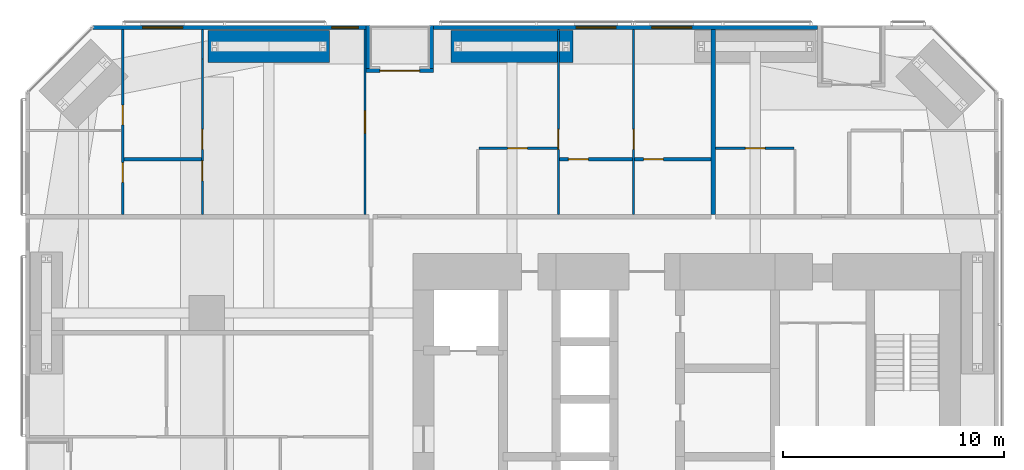
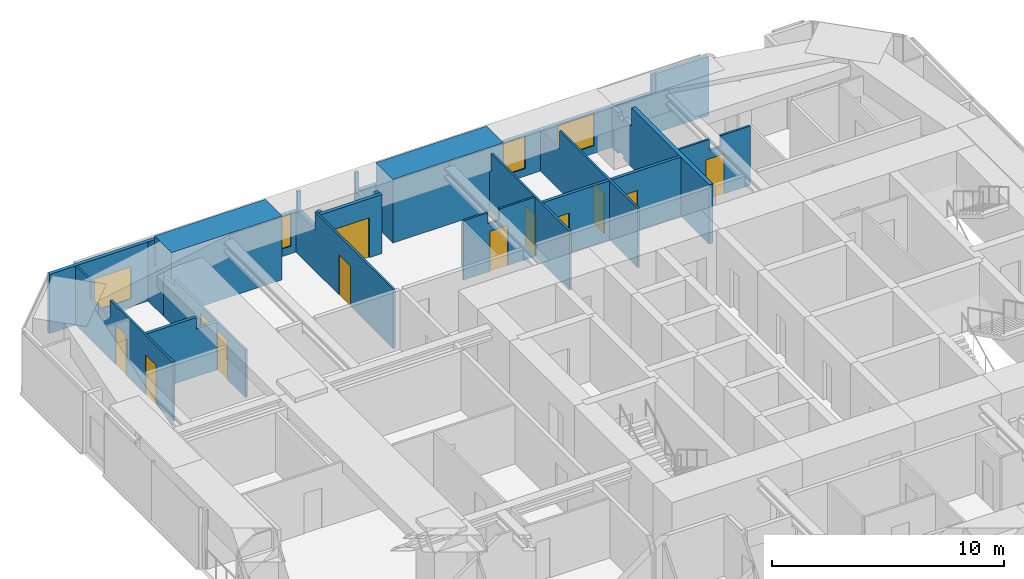
# One storey, part 22 of 24: 19 walls, 12 doors, 4 windows, 16 openings.
"""IFC4 building model written with IfcOpenShell, lengths in metres."""

from ifc_helpers import new_model, si_unit, direction, frame, frame_2d, origin, place, context, subcontext, project, spatial, polyline, rectangle, outline, extrude, material, layer, layer_set, constituent, constituent_set, type_object, element, fill, save


model = new_model("IFC4")

# Units and contexts
model_context = context("Model", 3, precision=1e-05, world=origin(), true_north=direction((0.0, 1.0)))
body_context = subcontext(model_context, "Body", "Model", "MODEL_VIEW")
ifc_project = project(units=[si_unit("LENGTHUNIT", "METRE"), si_unit("AREAUNIT", "SQUARE_METRE"), si_unit("VOLUMEUNIT", "CUBIC_METRE"), si_unit("PLANEANGLEUNIT", "RADIAN"), si_unit("MASSUNIT", "GRAM", prefix="KILO")], contexts=[model_context])

# Site, building, storey
site_placement = place(None, origin())
site = spatial("IfcSite", under=ifc_project, at=site_placement, CompositionType="ELEMENT")
building_placement = place(site_placement, origin())
building = spatial("IfcBuilding", under=site, at=building_placement, Name="Jalousie Tower", CompositionType="ELEMENT")
storey_placement = place(building_placement, frame((0.0, 0.0, 61.199951171875)))
storey = spatial("IfcBuildingStorey", under=building, at=storey_placement, Name="L16", CompositionType="ELEMENT", Elevation=61.199951171875)

# Wall
ifc_material_1 = material(Name="Concrete block ASTM C90", Category="concrete")
ifc_constituent_1 = constituent(ifc_material_1, Name="Body")
ifc_material_2 = material(Name="Render")
ifc_constituent_2 = constituent(ifc_material_2, Name="Finish")
ifc_constituent_set_1 = constituent_set(constituents=[ifc_constituent_1, ifc_constituent_2])
wall_type_1 = type_object("IfcWallType", Name="BATHROOM WALL 150", PredefinedType="PLUMBINGWALL", material=ifc_constituent_set_1)
wall_1_placement = place(storey_placement, frame((6.449951171875, 31.949951171875, 0.0), z_axis=(0.0, 0.0, 1.0), x_axis=(1.0, 0.0, 0.0)))
element("IfcWall", 1, at=wall_1_placement, inside=storey, type_object=wall_type_1, Name="Bathroom Wall 150 L16", PredefinedType="PLUMBINGWALL", context=body_context, shape_type="SweptSolid", body=[
    extrude(outline(polyline([(0.0, 0.0), (3.5, 0.0), (3.5, 3.110107421875), (3.5, 2.510009765625), (2.465087890625, 2.510009765625), (2.465087890625, 3.110107421875), (0.0, 3.110107421875), (0.0, 0.0)])), frame((0.0, 0.074951171875, 0.0), z_axis=(0.0, -1.0, 0.0), x_axis=(1.0, 0.0, 0.0)), (0.0, 0.0, 1.0), 0.14990234375),
])

# Wall, opening, door
wall_2_placement = place(storey_placement, frame((26.14990234375, 31.949951171875, 0.0), z_axis=(0.0, 0.0, 1.0), x_axis=(1.0, 0.0, 0.0)))
wall_2 = element("IfcWall", 2, at=wall_2_placement, inside=storey, type_object=wall_type_1, Name="Bathroom Wall 150 L16", PredefinedType="PLUMBINGWALL", context=body_context, shape_type="SweptSolid", body=[
    extrude(rectangle(XDim=3.300048828125, YDim=0.14990234375, at=frame_2d((1.64990234375, 0.0))), origin(), (0.0, 0.0, 1.0), 3.110107421875),
])
opening_1_placement = place(wall_2_placement, frame((0.39990234375, 0.0, 0.0)))
opening_1 = element("IfcOpeningElement", 3, at=opening_1_placement, cuts=wall_2, Name="Opening D3", PredefinedType="OPENING", context=body_context, shape_type="SweptSolid", body=[
    extrude(rectangle(XDim=0.89990234375, YDim=2.10009765625, at=frame_2d((0.449951171875, 1.050048828125))), frame((0.0, 0.0849609375, 0.0), z_axis=(0.0, -1.0, 0.0), x_axis=(1.0, 0.0, 0.0)), (0.0, 0.0, 1.0), 0.169921875),
])
ifc_material_3 = material(Name="Timber door", Category="wood")
door_type_1 = type_object("IfcDoorType", Name="BATHROOM DOOR 900", OperationType="SINGLE_SWING_LEFT", PredefinedType="DOOR", material=ifc_material_3)
door_1_placement = place(opening_1_placement, frame((0.89990234375, 0.0, 0.0), z_axis=(0.0, 0.0, 1.0), x_axis=(-1.0, 0.0, 0.0)))
door_1 = element("IfcDoor", 4, at=door_1_placement, inside=storey, type_object=door_type_1, Name="Apartment 1603 bedroom 3 bathroom door", OperationType="SINGLE_SWING_RIGHT", OverallHeight=2.10009765625, OverallWidth=0.89990234375, PredefinedType="DOOR", context=body_context, shape_type="SweptSolid", body=[
    extrude(rectangle(XDim=0.89990234375, YDim=2.10009765625, at=frame_2d((0.449951171875, 1.050048828125))), frame((0.0, 0.02490234375, 0.0), z_axis=(0.0, -1.0, 0.0), x_axis=(1.0, 0.0, 0.0)), (0.0, 0.0, 1.0), 0.050048828125),
])
fill(opening_1, door_1)

wall_3_placement = place(storey_placement, frame((29.550048828125, 31.949951171875, 0.0), z_axis=(0.0, 0.0, 1.0), x_axis=(1.0, 0.0, 0.0)))
wall_3 = element("IfcWall", 5, at=wall_3_placement, inside=storey, type_object=wall_type_1, Name="Bathroom Wall 150 L16", PredefinedType="PLUMBINGWALL", context=body_context, shape_type="SweptSolid", body=[
    extrude(rectangle(XDim=3.449951171875, YDim=0.14990234375, at=frame_2d((1.72509765625, 0.0))), origin(), (0.0, 0.0, 1.0), 3.110107421875),
])
opening_2_placement = place(wall_3_placement, frame((0.39990234375, 0.0, 0.0)))
opening_2 = element("IfcOpeningElement", 6, at=opening_2_placement, cuts=wall_3, Name="Opening D3", PredefinedType="OPENING", context=body_context, shape_type="SweptSolid", body=[
    extrude(rectangle(XDim=0.89990234375, YDim=2.10009765625, at=frame_2d((0.449951171875, 1.050048828125))), frame((0.0, 0.0849609375, 0.0), z_axis=(0.0, -1.0, 0.0), x_axis=(1.0, 0.0, 0.0)), (0.0, 0.0, 1.0), 0.169921875),
])
door_2_placement = place(opening_2_placement, frame((0.89990234375, 0.0, 0.0), z_axis=(0.0, 0.0, 1.0), x_axis=(-1.0, 0.0, 0.0)))
door_2 = element("IfcDoor", 7, at=door_2_placement, inside=storey, type_object=door_type_1, Name="Apartment 1603 bedroom 4 bathroom door", OperationType="SINGLE_SWING_RIGHT", OverallHeight=2.10009765625, OverallWidth=0.89990234375, PredefinedType="DOOR", context=body_context, shape_type="SweptSolid", body=[
    extrude(rectangle(XDim=0.89990234375, YDim=2.10009765625, at=frame_2d((0.449951171875, 1.050048828125))), frame((0.0, 0.02490234375, 0.0), z_axis=(0.0, -1.0, 0.0), x_axis=(1.0, 0.0, 0.0)), (0.0, 0.0, 1.0), 0.050048828125),
])
fill(opening_2, door_2)

# Wall, openings, windows
ifc_material_4 = material(Name="Concrete f'c 40 MPa", Category="concrete")
ifc_constituent_3 = constituent(ifc_material_4, Name="Body")
ifc_material_5 = material(Name="Render, pastel coral")
ifc_constituent_4 = constituent(ifc_material_5, Name="Finish")
ifc_constituent_set_2 = constituent_set(constituents=[ifc_constituent_3, ifc_constituent_4])
wall_type_2 = type_object("IfcWallType", Name="EXTERNAL WALL 175 CORAL RENDER", PredefinedType="SOLIDWALL", material=ifc_constituent_set_2)
wall_4_placement = place(storey_placement, frame((37.82373046875, 37.91259765625, 0.0), z_axis=(0.0, 0.0, 1.0), x_axis=(-1.0, 0.0, 0.0)))
wall_4 = element("IfcWall", 8, at=wall_4_placement, inside=storey, type_object=wall_type_2, Name="External Wall 175 Coral Render L16", PredefinedType="SOLIDWALL", context=body_context, shape_type="SweptSolid", body=[
    extrude(outline(polyline([(0.0, 0.0), (17.373779296875, 0.0), (17.373779296875, 2.150146484375), (2.82373046875, 2.150146484375), (2.82373046875, 3.110107421875), (2.66796875, 3.110107421875), (2.66796875, 2.150146484375), (2.61962890625, 2.150146484375), (2.61962890625, 3.110107421875), (0.0, 3.110107421875), (0.0, 0.0)])), frame((0.0, 0.08740234375, 0.0), z_axis=(0.0, -1.0, 0.0), x_axis=(1.0, 0.0, 0.0)), (0.0, 0.0, 1.0), 0.175048828125),
])
opening_3_placement = place(wall_4_placement, frame((5.69873046875, 0.0, 0.39990234375)))
opening_3 = element("IfcOpeningElement", 9, at=opening_3_placement, cuts=wall_4, Name="Opening W-BED170", PredefinedType="OPENING", context=body_context, shape_type="SweptSolid", body=[
    extrude(rectangle(XDim=1.800048828125, YDim=1.699951171875, at=frame_2d((0.89990234375, 0.85009765625))), frame((0.0, 0.097412109375, 0.0), z_axis=(0.0, -1.0, 0.0), x_axis=(1.0, 0.0, 0.0)), (0.0, 0.0, 1.0), 0.195068359375),
])
opening_4_placement = place(wall_4_placement, frame((9.123779296875, 0.0, 0.39990234375)))
opening_4 = element("IfcOpeningElement", 10, at=opening_4_placement, cuts=wall_4, Name="Opening W-BED170", PredefinedType="OPENING", context=body_context, shape_type="SweptSolid", body=[
    extrude(rectangle(XDim=1.800048828125, YDim=1.699951171875, at=frame_2d((0.89990234375, 0.85009765625))), frame((0.0, 0.097412109375, 0.0), z_axis=(0.0, -1.0, 0.0), x_axis=(1.0, 0.0, 0.0)), (0.0, 0.0, 1.0), 0.195068359375),
])
ifc_material_6 = material(Name="Aluminium frame, impact-rated glazing", Category="aluminium")
window_type_1 = type_object("IfcWindowType", Name="WINDOW BED 1800x1700", PartitioningType="SINGLE_PANEL", PredefinedType="WINDOW", material=ifc_material_6)
window_1_placement = place(opening_3_placement, origin())
window_1 = element("IfcWindow", 11, at=window_1_placement, inside=storey, type_object=window_type_1, Name="Apartment 1603 bedroom 4 window", OverallHeight=1.699951171875, OverallWidth=1.800048828125, PartitioningType="SINGLE_PANEL", PredefinedType="WINDOW", context=body_context, shape_type="SweptSolid", body=[
    extrude(rectangle(XDim=1.800048828125, YDim=1.699951171875, at=frame_2d((0.89990234375, 0.85009765625))), frame((0.0, 0.030029296875, 0.0), z_axis=(0.0, -1.0, 0.0), x_axis=(1.0, 0.0, 0.0)), (0.0, 0.0, 1.0), 0.06005859375),
])
fill(opening_3, window_1)
window_2_placement = place(opening_4_placement, origin())
window_2 = element("IfcWindow", 12, at=window_2_placement, inside=storey, type_object=window_type_1, Name="Apartment 1603 bedroom 3 window", OverallHeight=1.699951171875, OverallWidth=1.800048828125, PartitioningType="SINGLE_PANEL", PredefinedType="WINDOW", context=body_context, shape_type="SweptSolid", body=[
    extrude(rectangle(XDim=1.800048828125, YDim=1.699951171875, at=frame_2d((0.89990234375, 0.85009765625))), frame((0.0, 0.030029296875, 0.0), z_axis=(0.0, -1.0, 0.0), x_axis=(1.0, 0.0, 0.0)), (0.0, 0.0, 1.0), 0.06005859375),
])
fill(opening_4, window_2)

wall_5_placement = place(storey_placement, frame((17.39990234375, 37.91259765625, 0.0), z_axis=(0.0, 0.0, 1.0), x_axis=(-1.0, 0.0, 0.0)))
wall_5 = element("IfcWall", 13, at=wall_5_placement, inside=storey, type_object=wall_type_2, Name="External Wall 175 Coral Render L16", PredefinedType="SOLIDWALL", context=body_context, shape_type="SweptSolid", body=[
    extrude(outline(polyline([(0.0, 0.0), (12.3486328125, 0.0), (12.3486328125, 3.110107421875), (4.60400390625, 3.110107421875), (4.60400390625, 2.150146484375), (4.5556640625, 2.150146484375), (4.5556640625, 3.110107421875), (4.39990234375, 3.110107421875), (4.39990234375, 2.150146484375), (0.0, 2.150146484375), (0.0, 0.0)])), frame((0.0, 0.08740234375, 0.0), z_axis=(0.0, -1.0, 0.0), x_axis=(1.0, 0.0, 0.0)), (0.0, 0.0, 1.0), 0.175048828125),
])
opening_5_placement = place(wall_5_placement, frame((0.35009765625, 0.0, 0.39990234375)))
opening_5 = element("IfcOpeningElement", 14, at=opening_5_placement, cuts=wall_5, Name="Opening W-COR170", PredefinedType="OPENING", context=body_context, shape_type="SweptSolid", body=[
    extrude(rectangle(XDim=1.199951171875, YDim=1.699951171875, at=frame_2d((0.60009765625, 0.85009765625))), frame((0.0, 0.097412109375, 0.0), z_axis=(0.0, -1.0, 0.0), x_axis=(1.0, 0.0, 0.0)), (0.0, 0.0, 1.0), 0.195068359375),
])
opening_6_placement = place(wall_5_placement, frame((8.300048828125, 0.0, 0.39990234375)))
opening_6 = element("IfcOpeningElement", 15, at=opening_6_placement, cuts=wall_5, Name="Opening W-BED170", PredefinedType="OPENING", context=body_context, shape_type="SweptSolid", body=[
    extrude(rectangle(XDim=1.800048828125, YDim=1.699951171875, at=frame_2d((0.89990234375, 0.85009765625))), frame((0.0, 0.097412109375, 0.0), z_axis=(0.0, -1.0, 0.0), x_axis=(1.0, 0.0, 0.0)), (0.0, 0.0, 1.0), 0.195068359375),
])
window_3_placement = place(opening_6_placement, origin())
window_3 = element("IfcWindow", 16, at=window_3_placement, inside=storey, type_object=window_type_1, Name="Apartment 1603 bedroom 2 window", OverallHeight=1.699951171875, OverallWidth=1.800048828125, PartitioningType="SINGLE_PANEL", PredefinedType="WINDOW", context=body_context, shape_type="SweptSolid", body=[
    extrude(rectangle(XDim=1.800048828125, YDim=1.699951171875, at=frame_2d((0.89990234375, 0.85009765625))), frame((0.0, 0.030029296875, 0.0), z_axis=(0.0, -1.0, 0.0), x_axis=(1.0, 0.0, 0.0)), (0.0, 0.0, 1.0), 0.06005859375),
])
fill(opening_6, window_3)
ifc_material_7 = material(Name="Aluminium frame, impact-rated glazing", Category="aluminium")
window_type_2 = type_object("IfcWindowType", Name="WINDOW COR 1200x1700", PartitioningType="SINGLE_PANEL", PredefinedType="WINDOW", material=ifc_material_7)
window_4_placement = place(opening_5_placement, origin())
window_4 = element("IfcWindow", 17, at=window_4_placement, inside=storey, type_object=window_type_2, Name="Apartment 1603 dining room window", OverallHeight=1.699951171875, OverallWidth=1.199951171875, PartitioningType="SINGLE_PANEL", PredefinedType="WINDOW", context=body_context, shape_type="SweptSolid", body=[
    extrude(rectangle(XDim=1.199951171875, YDim=1.699951171875, at=frame_2d((0.60009765625, 0.85009765625))), frame((0.0, 0.030029296875, 0.0), z_axis=(0.0, -1.0, 0.0), x_axis=(1.0, 0.0, 0.0)), (0.0, 0.0, 1.0), 0.06005859375),
])
fill(opening_5, window_4)

# Wall, opening, door
wall_6_placement = place(storey_placement, frame((20.449951171875, 35.96240234375, 0.0), z_axis=(0.0, 0.0, 1.0), x_axis=(-1.0, 0.0, 0.0)))
wall_6 = element("IfcWall", 18, at=wall_6_placement, inside=storey, type_object=wall_type_2, Name="External Wall 175 Coral Render L16", PredefinedType="SOLIDWALL", context=body_context, shape_type="SweptSolid", body=[
    extrude(rectangle(XDim=3.050048828125, YDim=0.175048828125, at=frame_2d((1.52490234375, 0.0))), origin(), (0.0, 0.0, 1.0), 3.110107421875),
])
opening_7_placement = place(wall_6_placement, frame((0.625, 0.0, 0.0)))
opening_7 = element("IfcOpeningElement", 19, at=opening_7_placement, cuts=wall_6, Name="Opening D-BAL21", PredefinedType="OPENING", context=body_context, shape_type="SweptSolid", body=[
    extrude(rectangle(XDim=1.800048828125, YDim=2.10009765625, at=frame_2d((0.89990234375, 1.050048828125))), frame((0.0, 0.097412109375, 0.0), z_axis=(0.0, -1.0, 0.0), x_axis=(1.0, 0.0, 0.0)), (0.0, 0.0, 1.0), 0.195068359375),
])
ifc_material_8 = material(Name="Aluminium frame, impact-rated glazing", Category="aluminium")
door_type_2 = type_object("IfcDoorType", Name="BALCONY DOOR 1800x2100", OperationType="SLIDING_TO_LEFT", PredefinedType="DOOR", material=ifc_material_8)
door_3_placement = place(opening_7_placement, origin())
door_3 = element("IfcDoor", 20, at=door_3_placement, inside=storey, type_object=door_type_2, Name="Apartment 1603 living room loggia door", OperationType="SLIDING_TO_LEFT", OverallHeight=2.10009765625, OverallWidth=1.800048828125, PredefinedType="DOOR", context=body_context, shape_type="SweptSolid", body=[
    extrude(rectangle(XDim=1.800048828125, YDim=2.10009765625, at=frame_2d((0.89990234375, 1.050048828125))), frame((0.0, 0.02490234375, 0.0), z_axis=(0.0, -1.0, 0.0), x_axis=(1.0, 0.0, 0.0)), (0.0, 0.0, 1.0), 0.050048828125),
])
fill(opening_7, door_3)

# Walls
for number, where, z_axis, x_axis, name in (
    (21, (20.362548828125, 38.0, 0.0), (0.0, 0.0, 1.0), (0.0, -1.0, 0.0), "External Wall 175 Coral Render L16"),
    (22, (17.487548828125, 38.0, 0.0), (0.0, 0.0, 1.0), (0.0, -1.0, 0.0), "External Wall 175 Coral Render L16"),
):
    element("IfcWall", number, at=place(storey_placement, frame(where, z_axis=z_axis, x_axis=x_axis)), inside=storey, type_object=wall_type_2, Name=name, PredefinedType="SOLIDWALL", context=body_context, shape_type="SweptSolid", body=[
        extrude(outline(polyline([(0.0, 0.0), (1.949951171875, 0.0), (1.949951171875, 3.110107421875), (1.75, 3.110107421875), (1.75, 2.150146484375), (0.14990234375, 2.150146484375), (0.14990234375, 3.110107421875), (0.0, 3.110107421875), (0.0, 0.0)])), frame((0.0, 0.08740234375, 0.0), z_axis=(0.0, -1.0, 0.0), x_axis=(1.0, 0.0, 0.0)), (0.0, 0.0, 1.0), 0.175048828125),
    ])

# Wall, openings, doors
ifc_material_9 = material(Name="Gypsum board", Category="gypsum")
ifc_constituent_5 = constituent(ifc_material_9, Name="Body")
ifc_material_10 = material(Name="Light-gauge steel studs ASTM A653 SS Grade 33", Category="steel")
ifc_constituent_6 = constituent(ifc_material_10, Name="Framing")
ifc_constituent_set_3 = constituent_set(constituents=[ifc_constituent_5, ifc_constituent_6])
wall_type_3 = type_object("IfcWallType", Name="PARTITION 100", PredefinedType="PARTITIONING", material=ifc_constituent_set_3)
wall_7_placement = place(storey_placement, frame((6.39990234375, 37.824951171875, 0.0), z_axis=(0.0, 0.0, 1.0), x_axis=(0.0, -1.0, 0.0)))
wall_7 = element("IfcWall", 23, at=wall_7_placement, inside=storey, type_object=wall_type_3, Name="Partition 100 L16", PredefinedType="PARTITIONING", context=body_context, shape_type="SweptSolid", body=[
    extrude(outline(polyline([(0.0, 0.0), (8.375, 0.0), (8.375, 3.110107421875), (2.978271484375, 3.110107421875), (2.978271484375, 2.150146484375), (1.223876953125, 2.150146484375), (1.223876953125, 3.110107421875), (0.0, 3.110107421875), (0.0, 0.0)])), frame((0.0, 0.050048828125, 0.0), z_axis=(0.0, -1.0, 0.0), x_axis=(1.0, 0.0, 0.0)), (0.0, 0.0, 1.0), 0.10009765625),
])
opening_8_placement = place(wall_7_placement, frame((3.421630859375, 0.0, 0.0)))
opening_8 = element("IfcOpeningElement", 24, at=opening_8_placement, cuts=wall_7, Name="Opening D2", PredefinedType="OPENING", context=body_context, shape_type="SweptSolid", body=[
    extrude(rectangle(XDim=0.89990234375, YDim=2.10009765625, at=frame_2d((0.449951171875, 1.050048828125))), frame((0.0, 0.06005859375, 0.0), z_axis=(0.0, -1.0, 0.0), x_axis=(1.0, 0.0, 0.0)), (0.0, 0.0, 1.0), 0.1201171875),
])
opening_9_placement = place(wall_7_placement, frame((6.023193359375, 0.0, 0.0)))
opening_9 = element("IfcOpeningElement", 25, at=opening_9_placement, cuts=wall_7, Name="Opening D3", PredefinedType="OPENING", context=body_context, shape_type="SweptSolid", body=[
    extrude(rectangle(XDim=0.89990234375, YDim=2.10009765625, at=frame_2d((0.449951171875, 1.050048828125))), frame((0.0, 0.06005859375, 0.0), z_axis=(0.0, -1.0, 0.0), x_axis=(1.0, 0.0, 0.0)), (0.0, 0.0, 1.0), 0.1201171875),
])
door_4_placement = place(opening_9_placement, origin())
door_4 = element("IfcDoor", 26, at=door_4_placement, inside=storey, type_object=door_type_1, Name="Apartment 1603 bedroom 1 bathroom door", OperationType="SINGLE_SWING_LEFT", OverallHeight=2.10009765625, OverallWidth=0.89990234375, PredefinedType="DOOR", context=body_context, shape_type="SweptSolid", body=[
    extrude(rectangle(XDim=0.89990234375, YDim=2.10009765625, at=frame_2d((0.449951171875, 1.050048828125))), frame((0.0, 0.02490234375, 0.0), z_axis=(0.0, -1.0, 0.0), x_axis=(1.0, 0.0, 0.0)), (0.0, 0.0, 1.0), 0.050048828125),
])
fill(opening_9, door_4)
ifc_material_11 = material(Name="Timber door", Category="wood")
door_type_3 = type_object("IfcDoorType", Name="BEDROOM DOOR 900", OperationType="SINGLE_SWING_LEFT", PredefinedType="DOOR", material=ifc_material_11)
door_5_placement = place(opening_8_placement, origin())
door_5 = element("IfcDoor", 27, at=door_5_placement, inside=storey, type_object=door_type_3, Name="Apartment 1603 bedroom 1 door", OperationType="SINGLE_SWING_RIGHT", OverallHeight=2.10009765625, OverallWidth=0.89990234375, PredefinedType="DOOR", context=body_context, shape_type="SweptSolid", body=[
    extrude(rectangle(XDim=0.89990234375, YDim=2.10009765625, at=frame_2d((0.449951171875, 1.050048828125))), frame((0.0, 0.02490234375, 0.0), z_axis=(0.0, -1.0, 0.0), x_axis=(1.0, 0.0, 0.0)), (0.0, 0.0, 1.0), 0.050048828125),
])
fill(opening_8, door_5)

# Wall
wall_8_placement = place(storey_placement, frame((10.0, 37.824951171875, 0.0), z_axis=(0.0, 0.0, 1.0), x_axis=(0.0, -1.0, 0.0)))
element("IfcWall", 28, at=wall_8_placement, inside=storey, type_object=wall_type_3, Name="Partition 100 L16-A", PredefinedType="PARTITIONING", context=body_context, shape_type="SweptSolid", body=[
    extrude(outline(polyline([(0.0, 0.0), (1.337646484375, 0.0), (1.337646484375, 2.150146484375), (0.50048828125, 2.150146484375), (0.50048828125, 3.110107421875), (0.0, 3.110107421875), (0.0, 0.0)])), frame((0.0, 0.050048828125, 0.0), z_axis=(0.0, -1.0, 0.0), x_axis=(1.0, 0.0, 0.0)), (0.0, 0.0, 1.0), 0.10009765625),
])

# Wall, openings, doors
wall_9_placement = place(storey_placement, frame((10.0, 36.4873046875, 0.0), z_axis=(0.0, 0.0, 1.0), x_axis=(0.0, -1.0, 0.0)))
wall_9 = element("IfcWall", 29, at=wall_9_placement, inside=storey, type_object=wall_type_3, Name="Partition 100 L16-B", PredefinedType="PARTITIONING", context=body_context, shape_type="SweptSolid", body=[
    extrude(outline(polyline([(0.0, 0.0), (7.037353515625, 0.0), (7.037353515625, 2.510009765625), (0.917236328125, 2.510009765625), (0.917236328125, 2.150146484375), (0.0, 2.150146484375), (0.0, 0.0)])), frame((0.0, 0.050048828125, 0.0), z_axis=(0.0, -1.0, 0.0), x_axis=(1.0, 0.0, 0.0)), (0.0, 0.0, 1.0), 0.10009765625),
])
opening_10_placement = place(wall_9_placement, frame((3.1875, 0.0, 0.0)))
opening_10 = element("IfcOpeningElement", 30, at=opening_10_placement, cuts=wall_9, Name="Opening D2", PredefinedType="OPENING", context=body_context, shape_type="SweptSolid", body=[
    extrude(rectangle(XDim=0.89990234375, YDim=2.10009765625, at=frame_2d((0.449951171875, 1.050048828125))), frame((0.0, 0.06005859375, 0.0), z_axis=(0.0, -1.0, 0.0), x_axis=(1.0, 0.0, 0.0)), (0.0, 0.0, 1.0), 0.1201171875),
])
opening_11_placement = place(wall_9_placement, frame((4.6123046875, 0.0, 0.0)))
opening_11 = element("IfcOpeningElement", 31, at=opening_11_placement, cuts=wall_9, Name="Opening D7", PredefinedType="OPENING", context=body_context, shape_type="SweptSolid", body=[
    extrude(rectangle(XDim=0.89990234375, YDim=2.10009765625, at=frame_2d((0.449951171875, 1.050048828125))), frame((0.0, 0.06005859375, 0.0), z_axis=(0.0, -1.0, 0.0), x_axis=(1.0, 0.0, 0.0)), (0.0, 0.0, 1.0), 0.1201171875),
])
door_6_placement = place(opening_10_placement, frame((0.89990234375, 0.0, 0.0), z_axis=(0.0, 0.0, 1.0), x_axis=(-1.0, 0.0, 0.0)))
door_6 = element("IfcDoor", 32, at=door_6_placement, inside=storey, type_object=door_type_3, Name="Apartment 1603 bedroom 2 door", OperationType="SINGLE_SWING_LEFT", OverallHeight=2.10009765625, OverallWidth=0.89990234375, PredefinedType="DOOR", context=body_context, shape_type="SweptSolid", body=[
    extrude(rectangle(XDim=0.89990234375, YDim=2.10009765625, at=frame_2d((0.449951171875, 1.050048828125))), frame((0.0, 0.02490234375, 0.0), z_axis=(0.0, -1.0, 0.0), x_axis=(1.0, 0.0, 0.0)), (0.0, 0.0, 1.0), 0.050048828125),
])
fill(opening_10, door_6)
ifc_material_12 = material(Name="Timber door", Category="wood")
door_type_4 = type_object("IfcDoorType", Name="INTERNAL DOOR 900", OperationType="SINGLE_SWING_LEFT", PredefinedType="DOOR", material=ifc_material_12)
door_7_placement = place(opening_11_placement, frame((0.89990234375, 0.0, 0.0), z_axis=(0.0, 0.0, 1.0), x_axis=(-1.0, 0.0, 0.0)))
door_7 = element("IfcDoor", 33, at=door_7_placement, inside=storey, type_object=door_type_4, Name="Apartment 1603 bathroom door", OperationType="SINGLE_SWING_RIGHT", OverallHeight=2.10009765625, OverallWidth=0.89990234375, PredefinedType="DOOR", context=body_context, shape_type="SweptSolid", body=[
    extrude(rectangle(XDim=0.89990234375, YDim=2.10009765625, at=frame_2d((0.449951171875, 1.050048828125))), frame((0.0, 0.02490234375, 0.0), z_axis=(0.0, -1.0, 0.0), x_axis=(1.0, 0.0, 0.0)), (0.0, 0.0, 1.0), 0.050048828125),
])
fill(opening_11, door_7)

# Wall, opening, door
wall_10_placement = place(storey_placement, frame((26.10009765625, 37.824951171875, 0.0), z_axis=(0.0, 0.0, 1.0), x_axis=(0.0, -1.0, 0.0)))
wall_10 = element("IfcWall", 34, at=wall_10_placement, inside=storey, type_object=wall_type_3, Name="Partition 100 L16", PredefinedType="PARTITIONING", context=body_context, shape_type="SweptSolid", body=[
    extrude(outline(polyline([(0.52880859375, 2.150146484375), (0.0, 2.150146484375), (0.0, 0.0), (0.52880859375, 0.0), (0.52880859375, 0.0341796875), (1.021240234375, 0.0341796875), (1.021240234375, 0.0), (8.375, 0.0), (8.375, 3.110107421875), (1.635009765625, 3.110107421875), (1.635009765625, 2.150146484375), (1.021240234375, 2.150146484375), (1.021240234375, 2.115966796875), (0.52880859375, 2.115966796875), (0.52880859375, 2.150146484375)])), frame((0.0, 0.050048828125, 0.0), z_axis=(0.0, -1.0, 0.0), x_axis=(1.0, 0.0, 0.0)), (0.0, 0.0, 1.0), 0.10009765625),
])
opening_12_placement = place(wall_10_placement, frame((4.52490234375, 0.0, 0.0)))
opening_12 = element("IfcOpeningElement", 35, at=opening_12_placement, cuts=wall_10, Name="Opening D2", PredefinedType="OPENING", context=body_context, shape_type="SweptSolid", body=[
    extrude(rectangle(XDim=0.89990234375, YDim=2.10009765625, at=frame_2d((0.449951171875, 1.050048828125))), frame((0.0, 0.06005859375, 0.0), z_axis=(0.0, -1.0, 0.0), x_axis=(1.0, 0.0, 0.0)), (0.0, 0.0, 1.0), 0.1201171875),
])
door_8_placement = place(opening_12_placement, origin())
door_8 = element("IfcDoor", 36, at=door_8_placement, inside=storey, type_object=door_type_3, Name="Apartment 1603 bedroom 3 door", OperationType="SINGLE_SWING_RIGHT", OverallHeight=2.10009765625, OverallWidth=0.89990234375, PredefinedType="DOOR", context=body_context, shape_type="SweptSolid", body=[
    extrude(rectangle(XDim=0.89990234375, YDim=2.10009765625, at=frame_2d((0.449951171875, 1.050048828125))), frame((0.0, 0.02490234375, 0.0), z_axis=(0.0, -1.0, 0.0), x_axis=(1.0, 0.0, 0.0)), (0.0, 0.0, 1.0), 0.050048828125),
])
fill(opening_12, door_8)

wall_11_placement = place(storey_placement, frame((29.5, 37.824951171875, 0.0), z_axis=(0.0, 0.0, 1.0), x_axis=(0.0, -1.0, 0.0)))
wall_11 = element("IfcWall", 37, at=wall_11_placement, inside=storey, type_object=wall_type_3, Name="Partition 100 L16", PredefinedType="PARTITIONING", context=body_context, shape_type="SweptSolid", body=[
    extrude(outline(polyline([(0.0, 0.0), (8.375, 0.0), (8.375, 3.110107421875), (1.635009765625, 3.110107421875), (1.635009765625, 2.150146484375), (0.0, 2.150146484375), (0.0, 3.110107421875), (0.0, 0.0)])), frame((0.0, 0.050048828125, 0.0), z_axis=(0.0, -1.0, 0.0), x_axis=(1.0, 0.0, 0.0)), (0.0, 0.0, 1.0), 0.10009765625),
])
opening_13_placement = place(wall_11_placement, frame((4.52490234375, 0.0, 0.0)))
opening_13 = element("IfcOpeningElement", 38, at=opening_13_placement, cuts=wall_11, Name="Opening D2", PredefinedType="OPENING", context=body_context, shape_type="SweptSolid", body=[
    extrude(rectangle(XDim=0.89990234375, YDim=2.10009765625, at=frame_2d((0.449951171875, 1.050048828125))), frame((0.0, 0.06005859375, 0.0), z_axis=(0.0, -1.0, 0.0), x_axis=(1.0, 0.0, 0.0)), (0.0, 0.0, 1.0), 0.1201171875),
])
door_9_placement = place(opening_13_placement, origin())
door_9 = element("IfcDoor", 39, at=door_9_placement, inside=storey, type_object=door_type_3, Name="Apartment 1603 bedroom 4 door", OperationType="SINGLE_SWING_RIGHT", OverallHeight=2.10009765625, OverallWidth=0.89990234375, PredefinedType="DOOR", context=body_context, shape_type="SweptSolid", body=[
    extrude(rectangle(XDim=0.89990234375, YDim=2.10009765625, at=frame_2d((0.449951171875, 1.050048828125))), frame((0.0, 0.02490234375, 0.0), z_axis=(0.0, -1.0, 0.0), x_axis=(1.0, 0.0, 0.0)), (0.0, 0.0, 1.0), 0.050048828125),
])
fill(opening_13, door_9)

wall_12_placement = place(storey_placement, frame((22.5, 32.449951171875, 0.0), z_axis=(0.0, 0.0, 1.0), x_axis=(1.0, 0.0, 0.0)))
wall_12 = element("IfcWall", 40, at=wall_12_placement, inside=storey, type_object=wall_type_3, Name="Partition 100 L16", PredefinedType="PARTITIONING", context=body_context, shape_type="SweptSolid", body=[
    extrude(outline(polyline([(0.0, 0.0), (3.550048828125, 0.0), (3.550048828125, 3.110107421875), (1.787353515625, 3.110107421875), (1.787353515625, 2.541015625), (1.212646484375, 2.541015625), (1.212646484375, 3.110107421875), (0.0, 3.110107421875), (0.0, 0.0)])), frame((0.0, 0.050048828125, 0.0), z_axis=(0.0, -1.0, 0.0), x_axis=(1.0, 0.0, 0.0)), (0.0, 0.0, 1.0), 0.10009765625),
])
opening_14_placement = place(wall_12_placement, frame((1.300048828125, 0.0, 0.0)))
opening_14 = element("IfcOpeningElement", 41, at=opening_14_placement, cuts=wall_12, Name="Opening D7", PredefinedType="OPENING", context=body_context, shape_type="SweptSolid", body=[
    extrude(rectangle(XDim=0.89990234375, YDim=2.10009765625, at=frame_2d((0.449951171875, 1.050048828125))), frame((0.0, 0.06005859375, 0.0), z_axis=(0.0, -1.0, 0.0), x_axis=(1.0, 0.0, 0.0)), (0.0, 0.0, 1.0), 0.1201171875),
])
door_10_placement = place(opening_14_placement, frame((0.89990234375, 0.0, 0.0), z_axis=(0.0, 0.0, 1.0), x_axis=(-1.0, 0.0, 0.0)))
door_10 = element("IfcDoor", 42, at=door_10_placement, inside=storey, type_object=door_type_4, Name="Apartment 1603 kitchen door", OperationType="SINGLE_SWING_RIGHT", OverallHeight=2.10009765625, OverallWidth=0.89990234375, PredefinedType="DOOR", context=body_context, shape_type="SweptSolid", body=[
    extrude(rectangle(XDim=0.89990234375, YDim=2.10009765625, at=frame_2d((0.449951171875, 1.050048828125))), frame((0.0, 0.02490234375, 0.0), z_axis=(0.0, -1.0, 0.0), x_axis=(1.0, 0.0, 0.0)), (0.0, 0.0, 1.0), 0.050048828125),
])
fill(opening_14, door_10)

wall_13_placement = place(storey_placement, frame((17.35009765625, 37.824951171875, 0.0), z_axis=(0.0, 0.0, 1.0), x_axis=(0.0, -1.0, 0.0)))
wall_13 = element("IfcWall", 43, at=wall_13_placement, inside=storey, type_object=wall_type_3, Name="Partition 100 L16", PredefinedType="PARTITIONING", context=body_context, shape_type="SweptSolid", body=[
    extrude(outline(polyline([(0.0, 0.0), (8.375, 0.0), (8.375, 3.110107421875), (1.635009765625, 3.110107421875), (1.635009765625, 2.150146484375), (0.0, 2.150146484375), (0.0, 3.110107421875), (0.0, 0.0)])), frame((0.0, 0.050048828125, 0.0), z_axis=(0.0, -1.0, 0.0), x_axis=(1.0, 0.0, 0.0)), (0.0, 0.0, 1.0), 0.10009765625),
])
opening_15_placement = place(wall_13_placement, frame((3.6875, 0.0, 0.0)))
opening_15 = element("IfcOpeningElement", 44, at=opening_15_placement, cuts=wall_13, Name="Opening D6", PredefinedType="OPENING", context=body_context, shape_type="SweptSolid", body=[
    extrude(rectangle(XDim=1.0, YDim=2.10009765625, at=frame_2d((0.5, 1.050048828125))), frame((0.0, 0.06005859375, 0.0), z_axis=(0.0, -1.0, 0.0), x_axis=(1.0, 0.0, 0.0)), (0.0, 0.0, 1.0), 0.1201171875),
])
ifc_material_13 = material(Name="Timber door", Category="wood")
door_type_5 = type_object("IfcDoorType", Name="INTERNAL DOOR 1000", OperationType="SINGLE_SWING_LEFT", PredefinedType="DOOR", material=ifc_material_13)
door_11_placement = place(opening_15_placement, frame((1.0, 0.0, 0.0), z_axis=(0.0, 0.0, 1.0), x_axis=(-1.0, 0.0, 0.0)))
door_11 = element("IfcDoor", 45, at=door_11_placement, inside=storey, type_object=door_type_5, Name="Apartment 1603 dining room door", OperationType="SINGLE_SWING_RIGHT", OverallHeight=2.10009765625, OverallWidth=1.0, PredefinedType="DOOR", context=body_context, shape_type="SweptSolid", body=[
    extrude(rectangle(XDim=1.0, YDim=2.10009765625, at=frame_2d((0.5, 1.050048828125))), frame((0.0, 0.02490234375, 0.0), z_axis=(0.0, -1.0, 0.0), x_axis=(1.0, 0.0, 0.0)), (0.0, 0.0, 1.0), 0.050048828125),
])
fill(opening_15, door_11)

wall_14_placement = place(storey_placement, frame((33.199951171875, 32.449951171875, 0.0), z_axis=(0.0, 0.0, 1.0), x_axis=(1.0, 0.0, 0.0)))
wall_14 = element("IfcWall", 46, at=wall_14_placement, inside=storey, type_object=wall_type_3, Name="Partition 100 L16", PredefinedType="PARTITIONING", context=body_context, shape_type="SweptSolid", body=[
    extrude(outline(polyline([(0.0, 0.0), (3.550048828125, 0.0), (3.550048828125, 3.110107421875), (2.08740234375, 3.110107421875), (2.08740234375, 2.541015625), (1.5126953125, 2.541015625), (1.5126953125, 3.110107421875), (0.0, 3.110107421875), (0.0, 0.0)])), frame((0.0, 0.050048828125, 0.0), z_axis=(0.0, -1.0, 0.0), x_axis=(1.0, 0.0, 0.0)), (0.0, 0.0, 1.0), 0.10009765625),
])
opening_16_placement = place(wall_14_placement, frame((1.35009765625, 0.0, 0.0)))
opening_16 = element("IfcOpeningElement", 47, at=opening_16_placement, cuts=wall_14, Name="Opening D7", PredefinedType="OPENING", context=body_context, shape_type="SweptSolid", body=[
    extrude(rectangle(XDim=0.89990234375, YDim=2.10009765625, at=frame_2d((0.449951171875, 1.050048828125))), frame((0.0, 0.06005859375, 0.0), z_axis=(0.0, -1.0, 0.0), x_axis=(1.0, 0.0, 0.0)), (0.0, 0.0, 1.0), 0.1201171875),
])
door_12_placement = place(opening_16_placement, origin())
door_12 = element("IfcDoor", 48, at=door_12_placement, inside=storey, type_object=door_type_4, Name="Apartment 1604 kitchen door", OperationType="SINGLE_SWING_LEFT", OverallHeight=2.10009765625, OverallWidth=0.89990234375, PredefinedType="DOOR", context=body_context, shape_type="SweptSolid", body=[
    extrude(rectangle(XDim=0.89990234375, YDim=2.10009765625, at=frame_2d((0.449951171875, 1.050048828125))), frame((0.0, 0.02490234375, 0.0), z_axis=(0.0, -1.0, 0.0), x_axis=(1.0, 0.0, 0.0)), (0.0, 0.0, 1.0), 0.050048828125),
])
fill(opening_16, door_12)

# Walls
ifc_material_14 = material(Name="Concrete block ASTM C90", Category="concrete")
ifc_constituent_7 = constituent(ifc_material_14, Name="Body")
ifc_material_15 = material(Name="Render")
ifc_constituent_8 = constituent(ifc_material_15, Name="Finish")
ifc_constituent_set_4 = constituent_set(constituents=[ifc_constituent_7, ifc_constituent_8])
wall_type_4 = type_object("IfcWallType", Name="PARTY WALL 200", PredefinedType="PARTITIONING", material=ifc_constituent_set_4)
wall_15_placement = place(storey_placement, frame((33.10009765625, 37.824951171875, 0.0), z_axis=(0.0, 0.0, 1.0), x_axis=(0.0, -1.0, 0.0)))
element("IfcWall", 49, at=wall_15_placement, inside=storey, type_object=wall_type_4, Name="Party Wall 200 L16", PredefinedType="PARTITIONING", context=body_context, shape_type="SweptSolid", body=[
    extrude(outline(polyline([(0.52880859375, 2.150146484375), (0.0, 2.150146484375), (0.0, 0.0), (0.52880859375, 0.0), (0.52880859375, 0.205078125), (1.021240234375, 0.205078125), (1.021240234375, 0.0), (8.375, 0.0), (8.375, 3.110107421875), (1.68505859375, 3.110107421875), (1.68505859375, 2.150146484375), (1.021240234375, 2.150146484375), (1.021240234375, 1.945068359375), (0.52880859375, 1.945068359375), (0.52880859375, 2.150146484375)])), frame((0.0, 0.10009765625, 0.0), z_axis=(0.0, -1.0, 0.0), x_axis=(1.0, 0.0, 0.0)), (0.0, 0.0, 1.0), 0.199951171875),
])
ifc_material_16 = material(Name="Concrete f'c 120 MPa", Category="concrete")
ifc_layer = layer(ifc_material_16, 1.449951171875)
ifc_layer_set = layer_set([ifc_layer], Name="Concrete f'c 120 MPa")
wall_type_5 = type_object("IfcWallType", Name="RC WALL PIER 1450", PredefinedType="SHEAR", material=ifc_layer_set)
for number, where, z_axis, x_axis, name in (
    (50, (21.25, 37.050048828125, 0.0), (0.0, 0.0, 1.0), (1.0, 0.0, 0.0), "Wall pier 10 L16"),
    (51, (10.25, 37.050048828125, 0.0), (0.0, 0.0, 1.0), (1.0, 0.0, 0.0), "Wall pier 11 L16"),
):
    element("IfcWall", number, at=place(storey_placement, frame(where, z_axis=z_axis, x_axis=x_axis)), inside=storey, type_object=wall_type_5, Name=name, PredefinedType="SHEAR", context=body_context, shape_type="SweptSolid", body=[
        extrude(rectangle(XDim=5.5, YDim=1.449951171875, at=frame_2d((2.75, 0.0))), origin(), (0.0, 0.0, 1.0), 3.35009765625),
    ])

save(model, "model.ifc")
